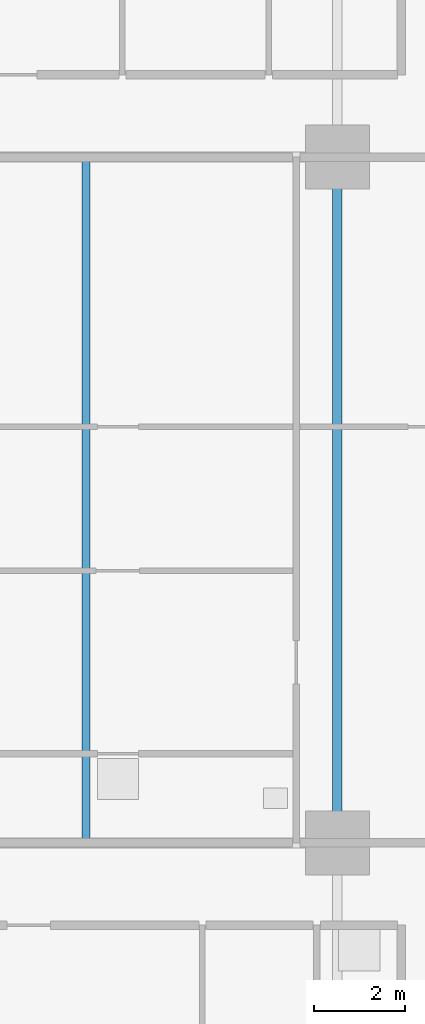
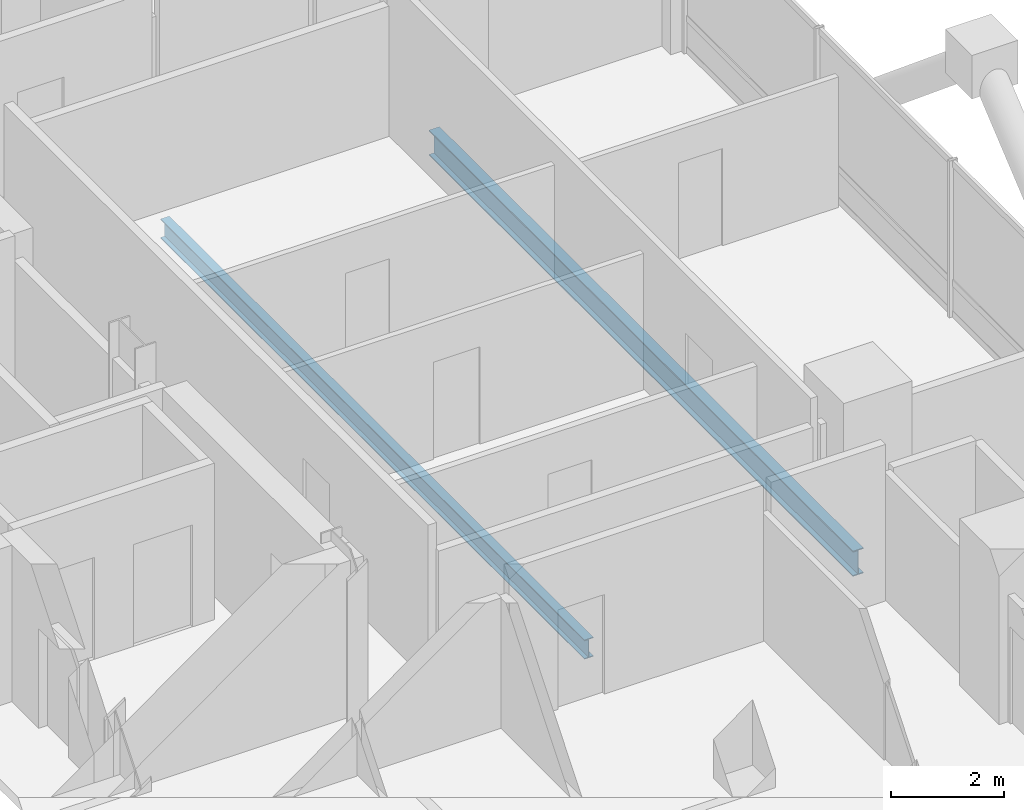
# One storey, part 9 of 24: 2 beams.
"""IFC4 building model written with IfcOpenShell, lengths in metres."""

from ifc_helpers import new_model, si_unit, direction, frame, origin, origin_2d, place, context, subcontext, project, spatial, i_section, extrude, material, material_profile, profile_set, type_object, element, save


model = new_model("IFC4")

# Units and contexts
model_context = context("Model", 3, precision=1e-05, world=origin(), true_north=direction((0.0, 1.0)))
body_context = subcontext(model_context, "Body", "Model", "MODEL_VIEW")
ifc_project = project(units=[si_unit("LENGTHUNIT", "METRE"), si_unit("AREAUNIT", "SQUARE_METRE"), si_unit("VOLUMEUNIT", "CUBIC_METRE"), si_unit("PLANEANGLEUNIT", "RADIAN"), si_unit("MASSUNIT", "GRAM", prefix="KILO")], contexts=[model_context])

# Site, building, storey
site_placement = place(None, origin())
site = spatial("IfcSite", under=ifc_project, at=site_placement, CompositionType="ELEMENT")
building_placement = place(site_placement, origin())
building = spatial("IfcBuilding", under=site, at=building_placement, Name="Barlavira Tower and Art Museum", CompositionType="ELEMENT")
storey_placement = place(building_placement, frame((0.0, 0.0, 46.800048828125)))
storey = spatial("IfcBuildingStorey", under=building, at=storey_placement, Name="L10", CompositionType="ELEMENT", Elevation=46.800048828125)

# Beams
ifc_material = material(Name="Steel S355", Category="steel")
ifc_material_profile_1 = material_profile(ifc_material, i_section(OverallWidth=0.180908203125, OverallDepth=0.4169921875, WebThickness=0.010986328125, FlangeThickness=0.018310546875, at=origin_2d()), Name="W410x85.0")
ifc_profile_set_1 = profile_set([ifc_material_profile_1], Name="Steel S355")
beam_type_1 = type_object("IfcBeamType", Name="Zone 1 Composite Floor Joist W410x85 Steel S355", PredefinedType="JOIST", material=ifc_profile_set_1)
beam_1_placement = place(storey_placement, frame((11.5, -7.5, -0.428466796875), z_axis=(0.0, 1.0, 0.0), x_axis=(-1.0, 0.0, 0.0)))
element("IfcBeam", 1, at=beam_1_placement, inside=storey, type_object=beam_type_1, Name="L10 Joist W2", PredefinedType="JOIST", context=body_context, shape_type="SweptSolid", body=[
    extrude(i_section(OverallWidth=0.180908203125, OverallDepth=0.4169921875, WebThickness=0.010986328125, FlangeThickness=0.018310546875, at=origin_2d()), origin(), (0.0, 0.0, 1.0), 15.0),
])
ifc_material_profile_2 = material_profile(ifc_material, i_section(OverallWidth=0.214111328125, OverallDepth=0.549072265625, WebThickness=0.0146484375, FlangeThickness=0.023681640625, at=origin_2d()), Name="W530x138.0")
ifc_profile_set_2 = profile_set([ifc_material_profile_2], Name="Steel S355")
beam_type_2 = type_object("IfcBeamType", Name="Zone 1 Primary Floor Girder W530x138 Steel S355", PredefinedType="BEAM", material=ifc_profile_set_2)
beam_2_placement = place(storey_placement, frame((17.0, -7.5, -0.49462890625), z_axis=(0.0, 1.0, 0.0), x_axis=(-1.0, 0.0, 0.0)))
element("IfcBeam", 2, at=beam_2_placement, inside=storey, type_object=beam_type_2, Name="L10 Girder M-E2", PredefinedType="BEAM", context=body_context, shape_type="SweptSolid", body=[
    extrude(i_section(OverallWidth=0.214111328125, OverallDepth=0.549072265625, WebThickness=0.0146484375, FlangeThickness=0.023681640625, at=origin_2d()), origin(), (0.0, 0.0, 1.0), 15.0),
])

save(model, "model.ifc")
